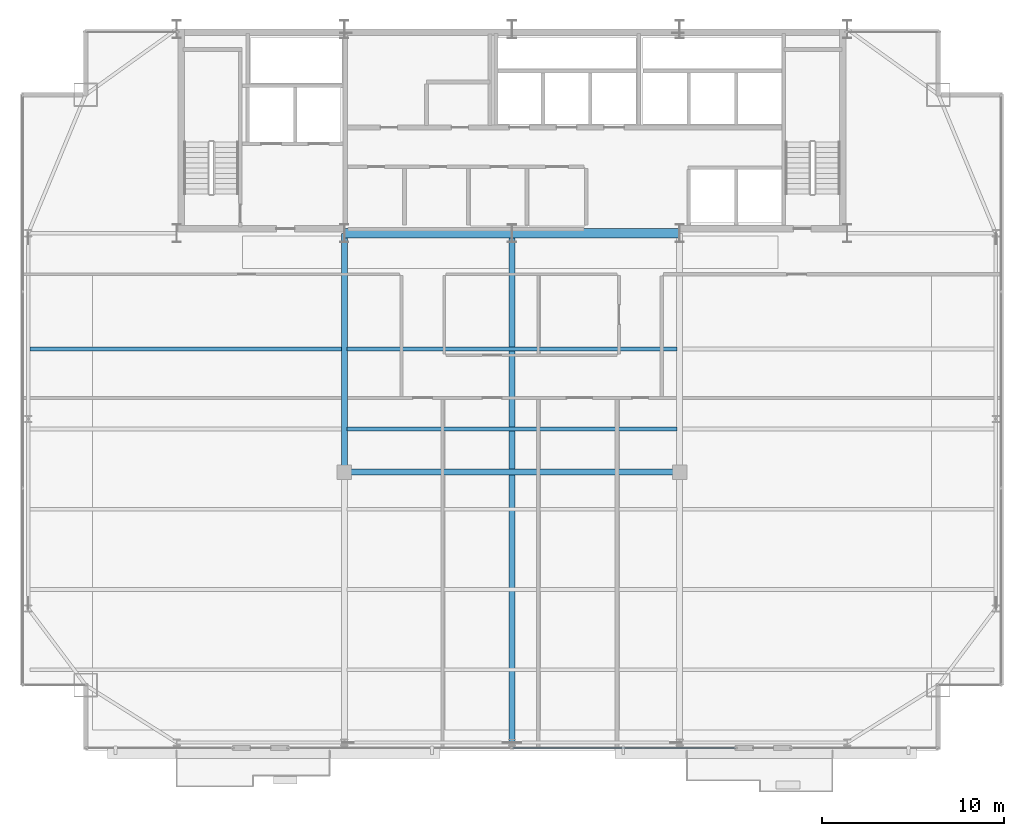
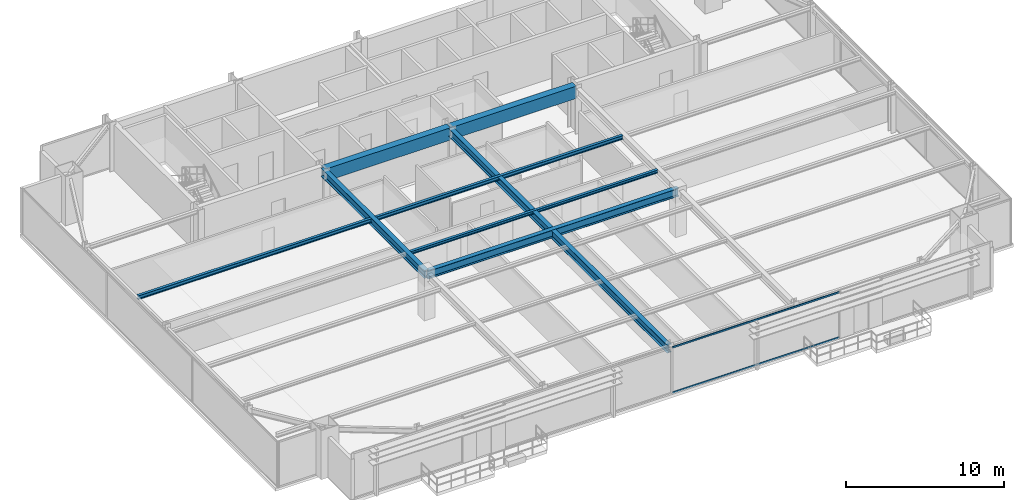
# One storey, part 13 of 31: 8 beams, 2 members, 1 element without a shape of its own.
"""IFC4 building model written with IfcOpenShell, lengths in metres."""

from ifc_helpers import new_model, si_unit, direction, frame, origin, origin_2d, place, context, subcontext, project, spatial, rectangle, hollow_rectangle, i_section, extrude, source, transform, mapped, material, layer, layer_set, material_profile, profile_set, type_object, type_shapes, element, aggregate, save


model = new_model("IFC4")

# Units and contexts
model_context = context("Model", 3, precision=1e-05, world=origin(), true_north=direction((0.0, 1.0)))
body_context = subcontext(model_context, "Body", "Model", "MODEL_VIEW")
ifc_project = project(units=[si_unit("LENGTHUNIT", "METRE"), si_unit("AREAUNIT", "SQUARE_METRE"), si_unit("VOLUMEUNIT", "CUBIC_METRE"), si_unit("PLANEANGLEUNIT", "RADIAN"), si_unit("MASSUNIT", "GRAM", prefix="KILO")], contexts=[model_context])

# Site, building, storey
site_placement = place(None, origin())
site = spatial("IfcSite", under=ifc_project, at=site_placement, CompositionType="ELEMENT")
building_placement = place(site_placement, origin())
building = spatial("IfcBuilding", under=site, at=building_placement, Name="Varnel Quay Broadcast Tower", CompositionType="ELEMENT")
storey_placement = place(building_placement, frame((0.0, 0.0, 157.199951171875)))
storey = spatial("IfcBuildingStorey", under=building, at=storey_placement, Name="L38", CompositionType="ELEMENT", Elevation=157.199951171875)

# Beams
ifc_material_1 = material(Name="Structural Steel CSA G40.21 350W", Category="steel")
ifc_material_profile_1 = material_profile(ifc_material_1, i_section(OverallWidth=0.324951171875, OverallDepth=0.615966796875, WebThickness=0.013916015625, FlangeThickness=0.021484375, FilletRadius=0.01611328125, at=origin_2d()), Name="W610X174")
ifc_profile_set_1 = profile_set([ifc_material_profile_1], Name="Structural Steel CSA G40.21 350W")
beam_type_1 = type_object("IfcBeamType", Name="Girder_W610X174", PredefinedType="BEAM", material=ifc_profile_set_1)
shared_shape_1 = source(origin(), body_context, "Body", "SweptSolid", [
    extrude(i_section(OverallWidth=0.324951171875, OverallDepth=0.615966796875, WebThickness=0.013916015625, FlangeThickness=0.021484375, FilletRadius=0.01611328125, at=origin_2d()), origin(), (0.0, 0.0, 1.0), 13.070068359375),
])
beam_1_placement = place(storey_placement, frame((24.800048828125, 22.510009765625, 3.241943359375), z_axis=(0.0, 1.0, 0.0), x_axis=(-1.0, 0.0, 0.0)))
element("IfcBeam", 1, at=beam_1_placement, inside=storey, type_object=beam_type_1, Name="L38 Primary Girder IC-01-CC-S2", PredefinedType="BEAM", context=body_context, shape_type="MappedRepresentation", body=[
    mapped(shared_shape_1, transform((0.0, 0.0, 0.0), x_axis=(1.0, 0.0, 0.0), y_axis=(0.0, 1.0, 0.0), z_axis=(0.0, 0.0, 1.0), scale=1.0)),
])
shared_shape_2 = source(origin(), body_context, "Body", "SweptSolid", [
    extrude(i_section(OverallWidth=0.324951171875, OverallDepth=0.615966796875, WebThickness=0.013916015625, FlangeThickness=0.021484375, FilletRadius=0.01611328125, at=origin_2d()), origin(), (0.0, 0.0, 1.0), 18.35986328125),
])
beam_2_placement = place(storey_placement, frame((24.820068359375, 22.489990234375, 3.241943359375), z_axis=(1.0, 0.0, 0.0), x_axis=(0.0, 1.0, 0.0)))
element("IfcBeam", 2, at=beam_2_placement, inside=storey, type_object=beam_type_1, Name="L38 Interior Spine Girder", PredefinedType="BEAM", context=body_context, shape_type="MappedRepresentation", body=[
    mapped(shared_shape_2, transform((0.0, 0.0, 0.0), x_axis=(1.0, 0.0, 0.0), y_axis=(0.0, 1.0, 0.0), z_axis=(0.0, 0.0, 1.0), scale=1.0)),
])
shared_shape_3 = source(origin(), body_context, "Body", "SweptSolid", [
    extrude(i_section(OverallWidth=0.324951171875, OverallDepth=0.615966796875, WebThickness=0.013916015625, FlangeThickness=0.021484375, FilletRadius=0.01611328125, at=origin_2d()), origin(), (0.0, 0.0, 1.0), 27.91015625),
])
type_shapes(beam_type_1, [shared_shape_1, shared_shape_2, shared_shape_3])
beam_3_placement = place(storey_placement, frame((34.0, 7.669921875, 3.241943359375), z_axis=(0.0, 1.0, 0.0), x_axis=(-1.0, 0.0, 0.0)))
element("IfcBeam", 3, at=beam_3_placement, inside=storey, type_object=beam_type_1, Name="L38 Central Bay Girder", PredefinedType="BEAM", context=body_context, shape_type="MappedRepresentation", body=[
    mapped(shared_shape_3, transform((0.0, 0.0, 0.0), x_axis=(1.0, 0.0, 0.0), y_axis=(0.0, 1.0, 0.0), z_axis=(0.0, 0.0, 1.0), scale=1.0)),
])
ifc_material_2 = material(Name="Concrete CSA A23.3 C50/60", Category="concrete")
ifc_material_profile_2 = material_profile(ifc_material_2, rectangle(XDim=0.5, YDim=0.949951171875, at=origin_2d()), Name="RC500X950")
ifc_profile_set_2 = profile_set([ifc_material_profile_2], Name="Concrete CSA A23.3 C50/60")
beam_type_2 = type_object("IfcBeamType", Name="Beam_RC500X950", PredefinedType="BEAM", material=ifc_profile_set_2)
shared_shape_4 = source(origin(), body_context, "Body", "SweptSolid", [
    extrude(rectangle(XDim=0.5, YDim=0.949951171875, at=origin_2d()), origin(), (0.0, 0.0, 1.0), 9.159912109375),
])
type_shapes(beam_type_2, [shared_shape_4])
for number, where, z_axis, x_axis, name in (
    (4, (24.820068359375, 35.60009765625, 3.074951171875), (1.0, 0.0, 0.0), (0.0, 1.0, 0.0), "L38 Core Coupling Beam W"),
    (5, (34.02001953125, 35.60009765625, 3.074951171875), (1.0, 0.0, 0.0), (0.0, 1.0, 0.0), "L38 Core Coupling Beam E"),
):
    element("IfcBeam", number, at=place(storey_placement, frame(where, z_axis=z_axis, x_axis=x_axis)), inside=storey, type_object=beam_type_2, Name=name, PredefinedType="BEAM", context=body_context, shape_type="MappedRepresentation", body=[
        mapped(shared_shape_4, transform((0.0, 0.0, 0.0), x_axis=(1.0, 0.0, 0.0), y_axis=(0.0, 1.0, 0.0), z_axis=(0.0, 0.0, 1.0), scale=1.0)),
    ])
ifc_material_profile_3 = material_profile(ifc_material_1, i_section(OverallWidth=0.202880859375, OverallDepth=0.302978515625, WebThickness=0.007568359375, FlangeThickness=0.01318359375, FilletRadius=0.011962890625, at=origin_2d()), Name="W310X60")
ifc_profile_set_3 = profile_set([ifc_material_profile_3], Name="Structural Steel CSA G40.21 350W")
beam_type_3 = type_object("IfcBeamType", Name="Beam_W310X60", PredefinedType="JOIST", material=ifc_profile_set_3)
shared_shape_5 = source(origin(), body_context, "Body", "SweptSolid", [
    extrude(i_section(OverallWidth=0.202880859375, OverallDepth=0.302978515625, WebThickness=0.007568359375, FlangeThickness=0.01318359375, FilletRadius=0.011962890625, at=origin_2d()), origin(), (0.0, 0.0, 1.0), 17.107177734375),
])
beam_4_placement = place(storey_placement, frame((7.535400390625, 29.25, 3.3984375), z_axis=(1.0, 0.0, 0.0), x_axis=(0.0, 1.0, 0.0)))
element("IfcBeam", 6, at=beam_4_placement, inside=storey, type_object=beam_type_3, Name="L38 West Floor Joist 5", PredefinedType="JOIST", context=body_context, shape_type="MappedRepresentation", body=[
    mapped(shared_shape_5, transform((0.0, 0.0, 0.0), x_axis=(1.0, 0.0, 0.0), y_axis=(0.0, 1.0, 0.0), z_axis=(0.0, 0.0, 1.0), scale=1.0)),
])
shared_shape_6 = source(origin(), body_context, "Body", "SweptSolid", [
    extrude(i_section(OverallWidth=0.202880859375, OverallDepth=0.302978515625, WebThickness=0.007568359375, FlangeThickness=0.01318359375, FilletRadius=0.011962890625, at=origin_2d()), origin(), (0.0, 0.0, 1.0), 18.0849609375),
])
type_shapes(beam_type_3, [shared_shape_5, shared_shape_6])
beam_5_placement = place(storey_placement, frame((24.95751953125, 29.25, 3.3984375), z_axis=(1.0, 0.0, 0.0), x_axis=(0.0, 1.0, 0.0)))
element("IfcBeam", 7, at=beam_5_placement, inside=storey, type_object=beam_type_3, Name="L38 Central Floor Joist 5", PredefinedType="JOIST", context=body_context, shape_type="MappedRepresentation", body=[
    mapped(shared_shape_6, transform((0.0, 0.0, 0.0), x_axis=(1.0, 0.0, 0.0), y_axis=(0.0, 1.0, 0.0), z_axis=(0.0, 0.0, 1.0), scale=1.0)),
])
ifc_material_profile_4 = material_profile(ifc_material_1, i_section(OverallWidth=0.201904296875, OverallDepth=0.2470703125, WebThickness=0.00732421875, FlangeThickness=0.010986328125, FilletRadius=0.010986328125, at=origin_2d()), Name="W250X49")
ifc_profile_set_4 = profile_set([ifc_material_profile_4], Name="Structural Steel CSA G40.21 350W")
beam_type_4 = type_object("IfcBeamType", Name="Beam_W250X49", PredefinedType="JOIST", material=ifc_profile_set_4)
shared_shape_7 = source(origin(), body_context, "Body", "SweptSolid", [
    extrude(i_section(OverallWidth=0.201904296875, OverallDepth=0.2470703125, WebThickness=0.00732421875, FlangeThickness=0.010986328125, FilletRadius=0.010986328125, at=origin_2d()), origin(), (0.0, 0.0, 1.0), 18.0849609375),
])
type_shapes(beam_type_4, [shared_shape_7])
beam_6_placement = place(storey_placement, frame((24.95751953125, 24.85009765625, 3.426513671875), z_axis=(1.0, 0.0, 0.0), x_axis=(0.0, 1.0, 0.0)))
element("IfcBeam", 8, at=beam_6_placement, inside=storey, type_object=beam_type_4, Name="L38 Central Floor Joist 4", PredefinedType="JOIST", context=body_context, shape_type="MappedRepresentation", body=[
    mapped(shared_shape_7, transform((0.0, 0.0, 0.0), x_axis=(1.0, 0.0, 0.0), y_axis=(0.0, 1.0, 0.0), z_axis=(0.0, 0.0, 1.0), scale=1.0)),
])

# Curtain wall, members
ifc_material_3 = material(Name="Anodised Bronze Aluminium 6063-T6", Category="aluminium")
ifc_layer = layer(ifc_material_3, 0.18994140625, Name="Anodised Bronze Aluminium 6063-T6")
ifc_layer_set = layer_set([ifc_layer], Name="Anodised Bronze Aluminium 6063-T6")
curtain_wall_type = type_object("IfcCurtainWallType", Name="CW_UpperTower", PredefinedType="NOTDEFINED", material=ifc_layer_set)
curtain_wall_placement = place(storey_placement, origin())
curtain_wall = element("IfcCurtainWall", 9, at=curtain_wall_placement, inside=storey, type_object=curtain_wall_type, Name="L38 South Unitised Curtain Wall 2", PredefinedType="NOTDEFINED")
ifc_material_profile_5 = material_profile(ifc_material_3, hollow_rectangle(XDim=0.06005859375, YDim=0.125, WallThickness=0.0029296875, at=origin_2d()), Name="ALU60X125X3")
ifc_profile_set_5 = profile_set([ifc_material_profile_5], Name="Anodised Bronze Aluminium 6063-T6")
member_type = type_object("IfcMemberType", Name="Tran_CWS-03", PredefinedType="USERDEFINED", material=ifc_profile_set_5)
shared_shape_8 = source(origin(), body_context, "Body", "SweptSolid", [
    extrude(hollow_rectangle(XDim=0.06005859375, YDim=0.125, WallThickness=0.0029296875, at=origin_2d()), origin(), (0.0, 0.0, 1.0), 12.222412109375),
])
type_shapes(member_type, [shared_shape_8])
member_1_placement = place(storey_placement, frame((34.032470703125, 7.35009765625, 0.030029296875), z_axis=(1.0, 0.0, 0.0), x_axis=(0.0, 1.0, 0.0)))
member_1 = element("IfcMember", 10, at=member_1_placement, type_object=member_type, Name="CWS-03 transom 2.1", ObjectType="TRANSOM", PredefinedType="USERDEFINED", context=body_context, shape_type="MappedRepresentation", body=[
    mapped(shared_shape_8, transform((0.0, 0.0, 0.0), x_axis=(1.0, 0.0, 0.0), y_axis=(0.0, 1.0, 0.0), z_axis=(0.0, 0.0, 1.0), scale=1.0)),
])
member_2_placement = place(storey_placement, frame((34.032470703125, 7.35009765625, 3.52001953125), z_axis=(1.0, 0.0, 0.0), x_axis=(0.0, 1.0, 0.0)))
member_2 = element("IfcMember", 11, at=member_2_placement, type_object=member_type, Name="CWS-03 transom 2.2", ObjectType="TRANSOM", PredefinedType="USERDEFINED", context=body_context, shape_type="MappedRepresentation", body=[
    mapped(shared_shape_8, transform((0.0, 0.0, 0.0), x_axis=(1.0, 0.0, 0.0), y_axis=(0.0, 1.0, 0.0), z_axis=(0.0, 0.0, 1.0), scale=1.0)),
])
aggregate(curtain_wall, [member_1, member_2])

save(model, "model.ifc")
